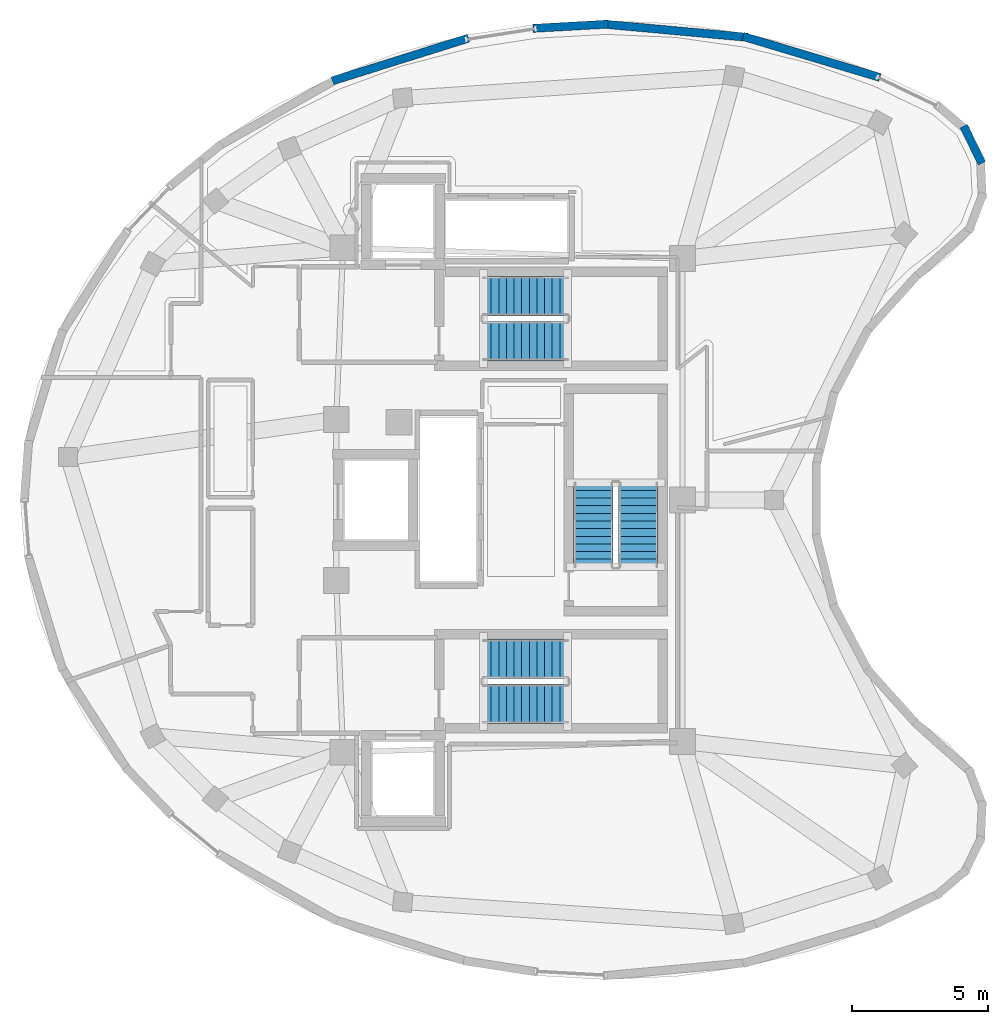
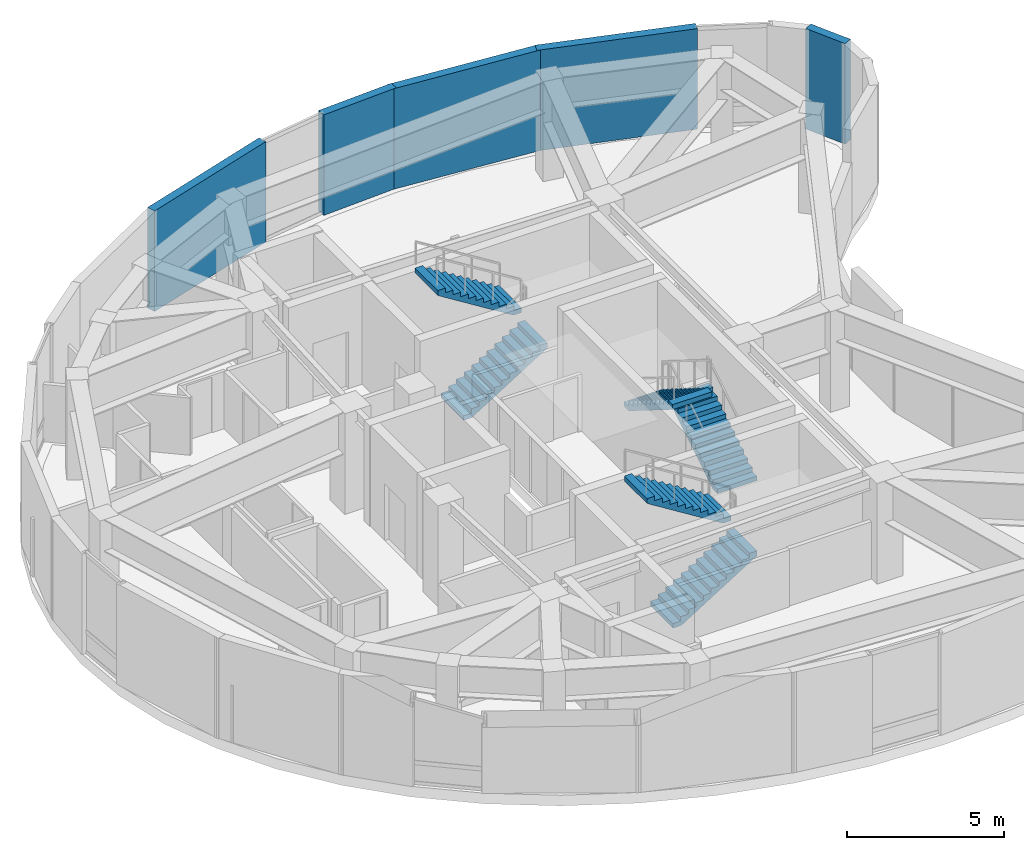
# One storey, part 6 of 8: 6 stair flights, 5 walls, 3 elements without a shape of their own.
"""IFC4 building model written with IfcOpenShell, lengths in metres."""

from ifc_helpers import new_model, si_unit, direction, frame, frame_2d, origin, place, context, subcontext, project, spatial, polyline, rectangle, outline, extrude, material, layer, layer_set, type_object, element, aggregate, save


model = new_model("IFC4")

# Units and contexts
model_context = context("Model", 3, precision=1e-05, world=origin(), true_north=direction((0.0, 1.0)))
body_context = subcontext(model_context, "Body", "Model", "MODEL_VIEW")
ifc_project = project(units=[si_unit("LENGTHUNIT", "METRE"), si_unit("AREAUNIT", "SQUARE_METRE"), si_unit("VOLUMEUNIT", "CUBIC_METRE"), si_unit("PLANEANGLEUNIT", "RADIAN"), si_unit("MASSUNIT", "GRAM", prefix="KILO")], contexts=[model_context])

# Site, building, storey
site_placement = place(None, origin())
site = spatial("IfcSite", under=ifc_project, at=site_placement, CompositionType="ELEMENT")
building_placement = place(site_placement, origin())
building = spatial("IfcBuilding", under=site, at=building_placement, Name="Korentha Bioscience Tower", CompositionType="ELEMENT")
storey_placement = place(building_placement, frame((0.0, 0.0, 322.800048828125)))
storey = spatial("IfcBuildingStorey", under=building, at=storey_placement, Name="L74", CompositionType="ELEMENT", Elevation=322.800048828125)

# Walls
ifc_material_1 = material(Name="Honed Limestone Precast Concrete C40", Category="masonry")
ifc_layer = layer(ifc_material_1, 0.300048828125, Name="Honed Limestone Precast Concrete C40")
ifc_layer_set = layer_set([ifc_layer], Name="Honed Limestone Precast Concrete C40 (EW-ST300)")
wall_type = type_object("IfcWallType", Name="Honed Limestone Cavity Spandrel Wall 300", PredefinedType="STANDARD", material=ifc_layer_set)
wall_1_placement = place(storey_placement, frame((44.786865234375, 42.4931640625, 0.0), z_axis=(0.0, 0.0, 1.0), x_axis=(-0.957960798093, 0.286899127423, 0.0)))
element("IfcWall", 1, at=wall_1_placement, inside=storey, type_object=wall_type, Name="L74 Limestone Perimeter Closure Wall 02", PredefinedType="STANDARD", context=body_context, shape_type="SweptSolid", body=[
    extrude(rectangle(XDim=5.240966796875, YDim=0.300048828125, at=frame_2d((2.62060546875, 0.0))), origin(), (0.0, 0.0, 1.0), 3.89990234375),
])
wall_2_placement = place(storey_placement, frame((39.94970703125, 43.96142578125, 0.0), z_axis=(0.0, 0.0, 1.0), x_axis=(-0.995809155395, 0.091455595959, 0.0)))
element("IfcWall", 2, at=wall_2_placement, inside=storey, type_object=wall_type, Name="L74 Limestone Perimeter Closure Wall 04", PredefinedType="STANDARD", context=body_context, shape_type="SweptSolid", body=[
    extrude(rectangle(XDim=5.33642578125, YDim=0.300048828125, at=frame_2d((2.668212890625, 0.0))), origin(), (0.0, 0.0, 1.0), 3.89990234375),
])
wall_3_placement = place(storey_placement, frame((34.81591796875, 44.446044921875, 0.0), z_axis=(0.0, 0.0, 1.0), x_axis=(-0.99847639055, -0.055180590022, 0.0)))
element("IfcWall", 3, at=wall_3_placement, inside=storey, type_object=wall_type, Name="L74 Limestone Perimeter Closure Wall 06", PredefinedType="STANDARD", context=body_context, shape_type="SweptSolid", body=[
    extrude(rectangle(XDim=2.75634765625, YDim=0.300048828125, at=frame_2d((1.378173828125, 0.0))), origin(), (0.0, 0.0, 1.0), 3.89990234375),
])
wall_4_placement = place(storey_placement, frame((29.70166015625, 43.93359375, 0.0), z_axis=(0.0, 0.0, 1.0), x_axis=(-0.954089764454, -0.299520819584, 0.0)))
element("IfcWall", 4, at=wall_4_placement, inside=storey, type_object=wall_type, Name="L74 Limestone Perimeter Closure Wall 08", PredefinedType="STANDARD", context=body_context, shape_type="SweptSolid", body=[
    extrude(rectangle(XDim=5.232177734375, YDim=0.300048828125, at=frame_2d((2.6162109375, 0.0))), origin(), (0.0, 0.0, 1.0), 3.89990234375),
])
wall_5_placement = place(storey_placement, frame((48.523193359375, 39.347412109375, 0.0), z_axis=(0.0, 0.0, 1.0), x_axis=(-0.439652491549, 0.898167961283, 0.0)))
element("IfcWall", 5, at=wall_5_placement, inside=storey, type_object=wall_type, Name="L74 Limestone Perimeter Closure Wall 61", PredefinedType="STANDARD", context=body_context, shape_type="SweptSolid", body=[
    extrude(rectangle(XDim=1.514404296875, YDim=0.300048828125, at=frame_2d((0.75732421875, 0.0))), origin(), (0.0, 0.0, 1.0), 3.89990234375),
])

# Stair, stair flights
ifc_material_2 = material(Name="Precast Concrete C50", Category="concrete")
stair_type = type_object("IfcStairType", Name="Core Exit Dog-Leg Stair 1450", PredefinedType="HALF_TURN_STAIR", material=ifc_material_2)
stair_1_placement = place(storey_placement, origin())
stair_1 = element("IfcStair", 6, at=stair_1_placement, inside=storey, type_object=stair_type, Name="L74 Tower North Pressurized Exit Stair ST-1", PredefinedType="HALF_TURN_STAIR")
stair_flight_type = type_object("IfcStairFlightType", Name="Core Exit Dog-Leg Stair 1450 Flight", PredefinedType="STRAIGHT", material=ifc_material_2)
stair_flight_1_placement = place(storey_placement, frame((30.25, 32.824951171875, 0.0), z_axis=(0.0, 0.0, 1.0), x_axis=(1.0, 0.0, 0.0)))
stair_flight_1 = element("IfcStairFlight", 7, at=stair_flight_1_placement, type_object=stair_flight_type, Name="ST-1 flight 1", NumberOfRisers=12, NumberOfTreads=11, PredefinedType="STRAIGHT", RiserHeight=0.175, TreadLength=0.28, context=body_context, shape_type="SweptSolid", body=[
    extrude(outline(polyline([(0.0, 0.0), (0.0, 0.175048828125), (0.280029296875, 0.175048828125), (0.280029296875, 0.35009765625), (0.56005859375, 0.35009765625), (0.56005859375, 0.52490234375), (0.840087890625, 0.52490234375), (0.840087890625, 0.699951171875), (1.1201171875, 0.699951171875), (1.1201171875, 0.875), (1.39990234375, 0.875), (1.39990234375, 1.050048828125), (1.679931640625, 1.050048828125), (1.679931640625, 1.22509765625), (1.9599609375, 1.22509765625), (1.9599609375, 1.39990234375), (2.239990234375, 1.39990234375), (2.239990234375, 1.574951171875), (2.52001953125, 1.574951171875), (2.52001953125, 1.75), (2.800048828125, 1.75), (2.800048828125, 1.925048828125), (3.080078125, 1.925048828125), (3.080078125, 2.10009765625), (3.080078125, 1.736328125), (0.3017578125, 0.0), (0.0, 0.0)])), frame((0.0, 0.72509765625, 0.0), z_axis=(0.0, -1.0, 0.0), x_axis=(1.0, 0.0, 0.0)), (0.0, 0.0, 1.0), 1.449951171875),
])
stair_flight_2_placement = place(storey_placement, frame((33.330078125, 34.47509765625, 2.099853515625), z_axis=(0.0, 0.0, 1.0), x_axis=(-1.0, 0.0, 0.0)))
stair_flight_2 = element("IfcStairFlight", 8, at=stair_flight_2_placement, type_object=stair_flight_type, Name="ST-1 flight 2", NumberOfRisers=12, NumberOfTreads=11, PredefinedType="STRAIGHT", RiserHeight=0.175, TreadLength=0.28, context=body_context, shape_type="SweptSolid", body=[
    extrude(outline(polyline([(0.0, 0.0), (0.0, 0.175048828125), (0.280029296875, 0.175048828125), (0.280029296875, 0.35009765625), (0.56005859375, 0.35009765625), (0.56005859375, 0.52490234375), (0.840087890625, 0.52490234375), (0.840087890625, 0.699951171875), (1.1201171875, 0.699951171875), (1.1201171875, 0.875), (1.39990234375, 0.875), (1.39990234375, 1.050048828125), (1.679931640625, 1.050048828125), (1.679931640625, 1.22509765625), (1.9599609375, 1.22509765625), (1.9599609375, 1.39990234375), (2.239990234375, 1.39990234375), (2.239990234375, 1.574951171875), (2.52001953125, 1.574951171875), (2.52001953125, 1.75), (2.800048828125, 1.75), (2.800048828125, 1.925048828125), (3.080078125, 1.925048828125), (3.080078125, 2.10009765625), (3.080078125, 1.736328125), (0.3017578125, 0.0), (0.0, 0.0)])), frame((0.0, 0.72509765625, 0.0), z_axis=(0.0, -1.0, 0.0), x_axis=(1.0, 0.0, 0.0)), (0.0, 0.0, 1.0), 1.449951171875),
])
aggregate(stair_1, [stair_flight_1, stair_flight_2])

stair_2_placement = place(storey_placement, origin())
stair_2 = element("IfcStair", 9, at=stair_2_placement, inside=storey, type_object=stair_type, Name="L74 Tower South Pressurized Exit Stair ST-2", PredefinedType="HALF_TURN_STAIR")
stair_flight_3_placement = place(storey_placement, frame((30.25, 19.52490234375, 0.0), z_axis=(0.0, 0.0, 1.0), x_axis=(1.0, 0.0, 0.0)))
stair_flight_3 = element("IfcStairFlight", 10, at=stair_flight_3_placement, type_object=stair_flight_type, Name="ST-2 flight 1", NumberOfRisers=12, NumberOfTreads=11, PredefinedType="STRAIGHT", RiserHeight=0.175, TreadLength=0.28, context=body_context, shape_type="SweptSolid", body=[
    extrude(outline(polyline([(0.0, 0.0), (0.0, 0.175048828125), (0.280029296875, 0.175048828125), (0.280029296875, 0.35009765625), (0.56005859375, 0.35009765625), (0.56005859375, 0.52490234375), (0.840087890625, 0.52490234375), (0.840087890625, 0.699951171875), (1.1201171875, 0.699951171875), (1.1201171875, 0.875), (1.39990234375, 0.875), (1.39990234375, 1.050048828125), (1.679931640625, 1.050048828125), (1.679931640625, 1.22509765625), (1.9599609375, 1.22509765625), (1.9599609375, 1.39990234375), (2.239990234375, 1.39990234375), (2.239990234375, 1.574951171875), (2.52001953125, 1.574951171875), (2.52001953125, 1.75), (2.800048828125, 1.75), (2.800048828125, 1.925048828125), (3.080078125, 1.925048828125), (3.080078125, 2.10009765625), (3.080078125, 1.736328125), (0.3017578125, 0.0), (0.0, 0.0)])), frame((0.0, 0.72509765625, 0.0), z_axis=(0.0, -1.0, 0.0), x_axis=(1.0, 0.0, 0.0)), (0.0, 0.0, 1.0), 1.449951171875),
])
stair_flight_4_placement = place(storey_placement, frame((33.330078125, 21.175048828125, 2.099853515625), z_axis=(0.0, 0.0, 1.0), x_axis=(-1.0, 0.0, 0.0)))
stair_flight_4 = element("IfcStairFlight", 11, at=stair_flight_4_placement, type_object=stair_flight_type, Name="ST-2 flight 2", NumberOfRisers=12, NumberOfTreads=11, PredefinedType="STRAIGHT", RiserHeight=0.175, TreadLength=0.28, context=body_context, shape_type="SweptSolid", body=[
    extrude(outline(polyline([(0.0, 0.0), (0.0, 0.175048828125), (0.280029296875, 0.175048828125), (0.280029296875, 0.35009765625), (0.56005859375, 0.35009765625), (0.56005859375, 0.52490234375), (0.840087890625, 0.52490234375), (0.840087890625, 0.699951171875), (1.1201171875, 0.699951171875), (1.1201171875, 0.875), (1.39990234375, 0.875), (1.39990234375, 1.050048828125), (1.679931640625, 1.050048828125), (1.679931640625, 1.22509765625), (1.9599609375, 1.22509765625), (1.9599609375, 1.39990234375), (2.239990234375, 1.39990234375), (2.239990234375, 1.574951171875), (2.52001953125, 1.574951171875), (2.52001953125, 1.75), (2.800048828125, 1.75), (2.800048828125, 1.925048828125), (3.080078125, 1.925048828125), (3.080078125, 2.10009765625), (3.080078125, 1.736328125), (0.3017578125, 0.0), (0.0, 0.0)])), frame((0.0, 0.72509765625, 0.0), z_axis=(0.0, -1.0, 0.0), x_axis=(1.0, 0.0, 0.0)), (0.0, 0.0, 1.0), 1.449951171875),
])
aggregate(stair_2, [stair_flight_3, stair_flight_4])

stair_3_placement = place(storey_placement, origin())
stair_3 = element("IfcStair", 12, at=stair_3_placement, inside=storey, type_object=stair_type, Name="L74 Tower Central Pressurized Exit Stair ST-3", PredefinedType="HALF_TURN_STAIR")
stair_flight_5_placement = place(storey_placement, frame((35.925048828125, 24.550048828125, 0.0), z_axis=(0.0, 0.0, 1.0), x_axis=(0.0, 1.0, 0.0)))
stair_flight_5 = element("IfcStairFlight", 13, at=stair_flight_5_placement, type_object=stair_flight_type, Name="ST-3 flight 1", NumberOfRisers=12, NumberOfTreads=11, PredefinedType="STRAIGHT", RiserHeight=0.175, TreadLength=0.28, context=body_context, shape_type="SweptSolid", body=[
    extrude(outline(polyline([(0.0, 0.0), (0.0, 0.175048828125), (0.280029296875, 0.175048828125), (0.280029296875, 0.35009765625), (0.56005859375, 0.35009765625), (0.56005859375, 0.52490234375), (0.840087890625, 0.52490234375), (0.840087890625, 0.699951171875), (1.1201171875, 0.699951171875), (1.1201171875, 0.875), (1.39990234375, 0.875), (1.39990234375, 1.050048828125), (1.679931640625, 1.050048828125), (1.679931640625, 1.22509765625), (1.9599609375, 1.22509765625), (1.9599609375, 1.39990234375), (2.239990234375, 1.39990234375), (2.239990234375, 1.574951171875), (2.52001953125, 1.574951171875), (2.52001953125, 1.75), (2.800048828125, 1.75), (2.800048828125, 1.925048828125), (3.080078125, 1.925048828125), (3.080078125, 2.10009765625), (3.080078125, 1.736328125), (0.3017578125, 0.0), (0.0, 0.0)])), frame((0.0, 0.72509765625, 0.0), z_axis=(0.0, -1.0, 0.0), x_axis=(1.0, 0.0, 0.0)), (0.0, 0.0, 1.0), 1.449951171875),
])
stair_flight_6_placement = place(storey_placement, frame((34.27490234375, 27.6298828125, 2.099853515625), z_axis=(0.0, 0.0, 1.0), x_axis=(0.0, -1.0, 0.0)))
stair_flight_6 = element("IfcStairFlight", 14, at=stair_flight_6_placement, type_object=stair_flight_type, Name="ST-3 flight 2", NumberOfRisers=12, NumberOfTreads=11, PredefinedType="STRAIGHT", RiserHeight=0.175, TreadLength=0.28, context=body_context, shape_type="SweptSolid", body=[
    extrude(outline(polyline([(0.0, 0.0), (0.0, 0.175048828125), (0.280029296875, 0.175048828125), (0.280029296875, 0.35009765625), (0.56005859375, 0.35009765625), (0.56005859375, 0.52490234375), (0.840087890625, 0.52490234375), (0.840087890625, 0.699951171875), (1.1201171875, 0.699951171875), (1.1201171875, 0.875), (1.39990234375, 0.875), (1.39990234375, 1.050048828125), (1.679931640625, 1.050048828125), (1.679931640625, 1.22509765625), (1.9599609375, 1.22509765625), (1.9599609375, 1.39990234375), (2.239990234375, 1.39990234375), (2.239990234375, 1.574951171875), (2.52001953125, 1.574951171875), (2.52001953125, 1.75), (2.800048828125, 1.75), (2.800048828125, 1.925048828125), (3.080078125, 1.925048828125), (3.080078125, 2.10009765625), (3.080078125, 1.736328125), (0.3017578125, 0.0), (0.0, 0.0)])), frame((0.0, 0.72509765625, 0.0), z_axis=(0.0, -1.0, 0.0), x_axis=(1.0, 0.0, 0.0)), (0.0, 0.0, 1.0), 1.449951171875),
])
aggregate(stair_3, [stair_flight_5, stair_flight_6])

save(model, "model.ifc")
